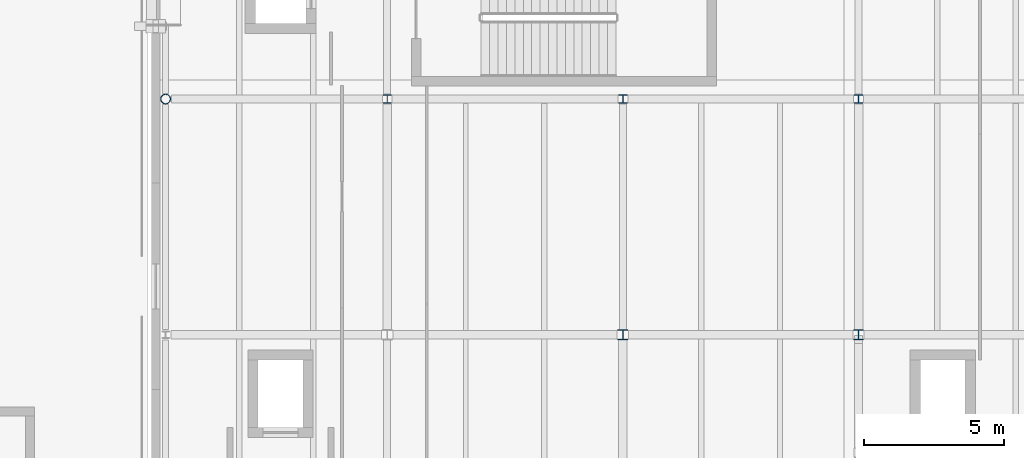
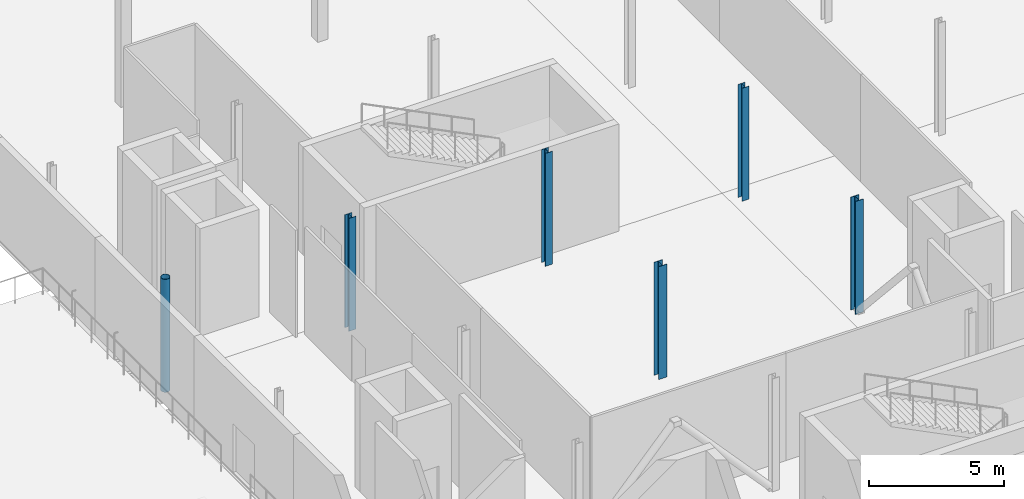
# One storey, part 8 of 91: 6 columns.
"""IFC4 building model written with IfcOpenShell, lengths in metres."""

from ifc_helpers import new_model, si_unit, direction, frame, origin, origin_2d, place, context, subcontext, project, spatial, hollow_circle, i_section, extrude, material, material_profile, profile_set, type_object, element, save


model = new_model("IFC4")

# Units and contexts
model_context = context("Model", 3, precision=1e-05, world=origin(), true_north=direction((0.0, 1.0)))
body_context = subcontext(model_context, "Body", "Model", "MODEL_VIEW")
ifc_project = project(units=[si_unit("LENGTHUNIT", "METRE"), si_unit("AREAUNIT", "SQUARE_METRE"), si_unit("VOLUMEUNIT", "CUBIC_METRE"), si_unit("PLANEANGLEUNIT", "RADIAN"), si_unit("MASSUNIT", "GRAM", prefix="KILO"), si_unit("THERMODYNAMICTEMPERATUREUNIT", "KELVIN")], contexts=[model_context])

# Site, building, storey
site_placement = place(None, origin())
site = spatial("IfcSite", under=ifc_project, at=site_placement, CompositionType="ELEMENT")
building_placement = place(site_placement, origin())
building = spatial("IfcBuilding", under=site, at=building_placement, Name="Lustrewick Department Store", CompositionType="ELEMENT")
storey_placement = place(building_placement, frame((0.0, 0.0, 21.60009765625)))
storey = spatial("IfcBuildingStorey", under=building, at=storey_placement, Name="L05", CompositionType="ELEMENT", Elevation=21.60009765625)

# Columns
ifc_material = material(Name="Structural steel Q355B", Category="steel")
ifc_material_profile_1 = material_profile(ifc_material, i_section(OverallWidth=0.347900390625, OverallDepth=0.343994140625, WebThickness=0.010009765625, FlangeThickness=0.01611328125, FilletRadius=0.02001953125, at=origin_2d()), Name="HW 344x348x10x16")
ifc_profile_set_1 = profile_set([ifc_material_profile_1], Name="Structural steel Q355B")
column_type_1 = type_object("IfcColumnType", Name="C14", PredefinedType="COLUMN", material=ifc_profile_set_1)
for number, where, z_axis, x_axis, name in (
    (1, (126.0, 67.199951171875, 0.0), (0.0, 0.0, 1.0), (1.0, 0.0, 0.0), "L05 V4 Column C14"),
    (2, (134.39990234375, 67.199951171875, 0.0), (0.0, 0.0, 1.0), (1.0, 0.0, 0.0), "L05 V4 Column C14"),
):
    element("IfcColumn", number, at=place(storey_placement, frame(where, z_axis=z_axis, x_axis=x_axis)), inside=storey, type_object=column_type_1, Name=name, PredefinedType="COLUMN", context=body_context, shape_type="SweptSolid", body=[
        extrude(i_section(OverallWidth=0.347900390625, OverallDepth=0.343994140625, WebThickness=0.010009765625, FlangeThickness=0.01611328125, FilletRadius=0.02001953125, at=origin_2d()), origin(), (0.0, 0.0, 1.0), 5.099853515625),
    ])
ifc_material_profile_2 = material_profile(ifc_material, i_section(OverallWidth=0.300048828125, OverallDepth=0.300048828125, WebThickness=0.010009765625, FlangeThickness=0.014892578125, FilletRadius=0.01806640625, at=origin_2d()), Name="HW 300x300x10x15")
ifc_profile_set_2 = profile_set([ifc_material_profile_2], Name="Structural steel Q355B")
column_type_2 = type_object("IfcColumnType", Name="C15", PredefinedType="COLUMN", material=ifc_profile_set_2)
for number, where, z_axis, x_axis, name in (
    (3, (117.60009765625, 75.60009765625, 0.0), (0.0, 0.0, 1.0), (1.0, 0.0, 0.0), "L05 V4 Column C15"),
    (4, (126.0, 75.60009765625, 0.0), (0.0, 0.0, 1.0), (1.0, 0.0, 0.0), "L05 V4 Column C15"),
    (5, (134.39990234375, 75.60009765625, 0.0), (0.0, 0.0, 1.0), (1.0, 0.0, 0.0), "L05 V4 Column C15"),
):
    element("IfcColumn", number, at=place(storey_placement, frame(where, z_axis=z_axis, x_axis=x_axis)), inside=storey, type_object=column_type_2, Name=name, PredefinedType="COLUMN", context=body_context, shape_type="SweptSolid", body=[
        extrude(i_section(OverallWidth=0.300048828125, OverallDepth=0.300048828125, WebThickness=0.010009765625, FlangeThickness=0.014892578125, FilletRadius=0.01806640625, at=origin_2d()), origin(), (0.0, 0.0, 1.0), 5.099853515625),
    ])
ifc_material_profile_3 = material_profile(ifc_material, hollow_circle(Radius=0.177978515625, WallThickness=0.013916015625, at=origin_2d()), Name="CHS 356x14")
ifc_profile_set_3 = profile_set([ifc_material_profile_3], Name="Structural steel Q355B")
column_type_3 = type_object("IfcColumnType", Name="CE05", PredefinedType="COLUMN", material=ifc_profile_set_3)
column_placement = place(storey_placement, frame((109.699951171875, 75.60009765625, 0.0), z_axis=(0.0, 0.0, 1.0), x_axis=(1.0, 0.0, 0.0)))
element("IfcColumn", 6, at=column_placement, inside=storey, type_object=column_type_3, Name="L05 V4 Column CE05", PredefinedType="COLUMN", context=body_context, shape_type="SweptSolid", body=[
    extrude(hollow_circle(Radius=0.177978515625, WallThickness=0.013916015625, at=origin_2d()), origin(), (0.0, 0.0, 1.0), 5.099853515625),
])

save(model, "model.ifc")
